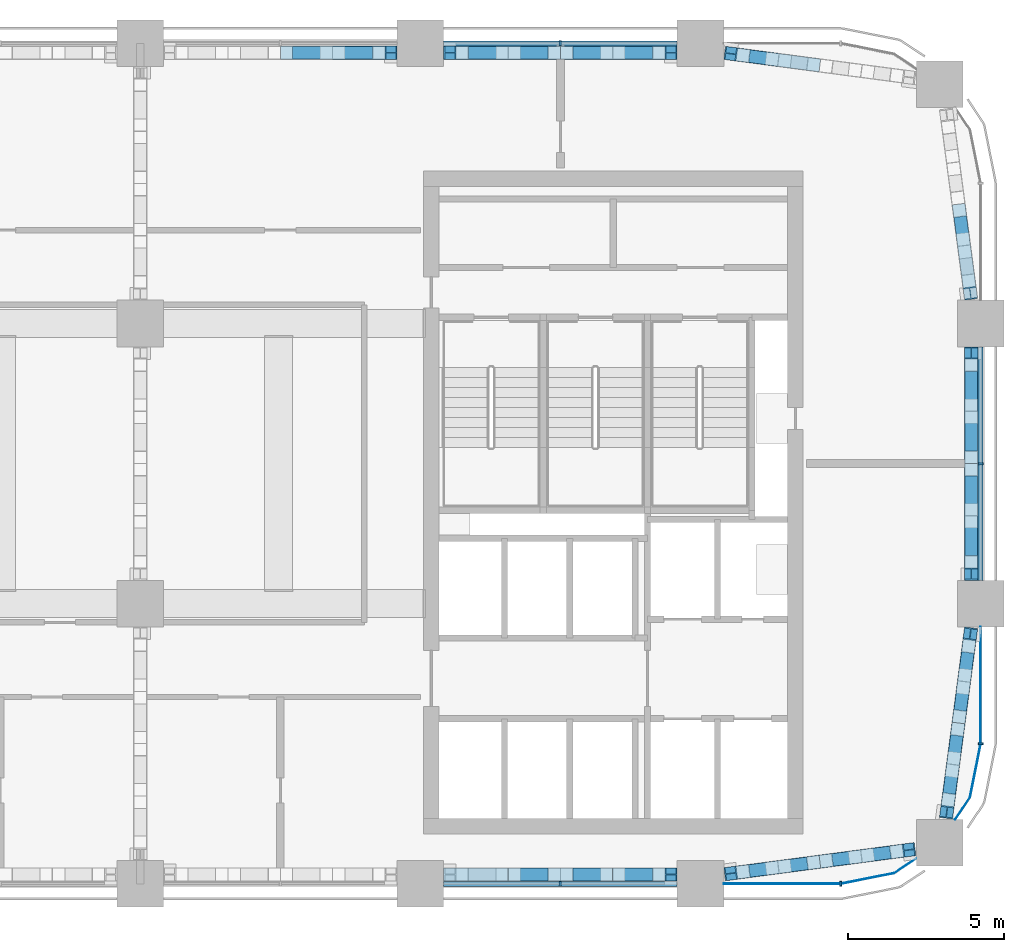
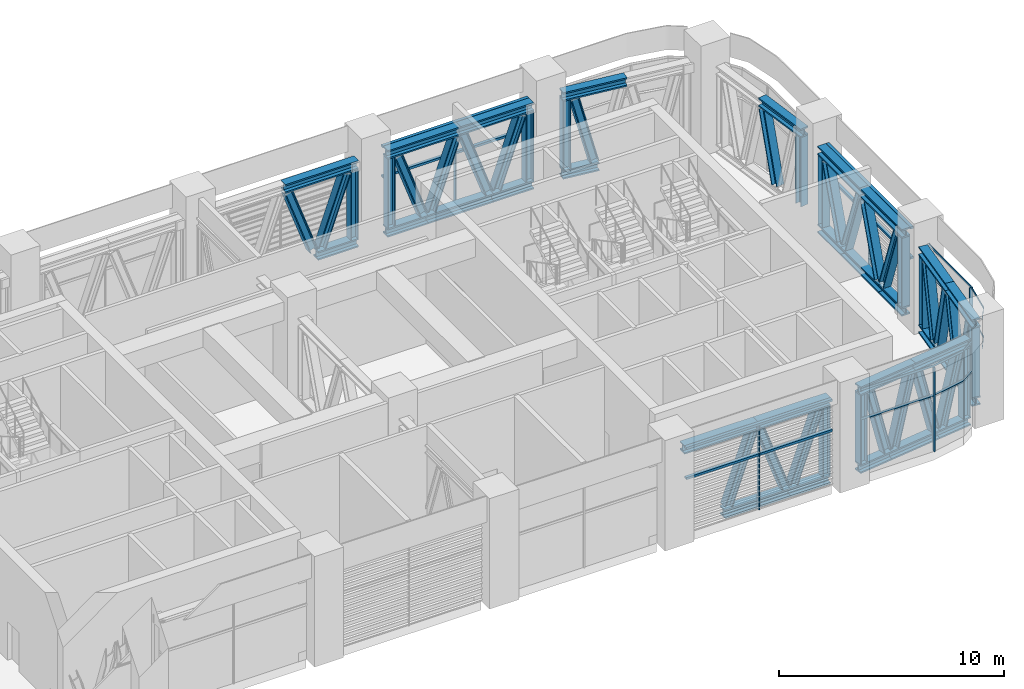
# One storey, part 6 of 19: 79 members, 5 elements without a shape of their own.
"""IFC4 building model written with IfcOpenShell, lengths in metres."""

from ifc_helpers import new_model, si_unit, direction, frame, origin, origin_2d, place, context, subcontext, project, spatial, polyline, rectangle, i_section, outline, extrude, material, material_profile, profile_set, type_object, element, aggregate, save


model = new_model("IFC4")

# Units and contexts
model_context = context("Model", 3, precision=1e-05, world=origin(), true_north=direction((0.0, 1.0)))
body_context = subcontext(model_context, "Body", "Model", "MODEL_VIEW")
ifc_project = project(units=[si_unit("LENGTHUNIT", "METRE"), si_unit("AREAUNIT", "SQUARE_METRE"), si_unit("VOLUMEUNIT", "CUBIC_METRE"), si_unit("PLANEANGLEUNIT", "RADIAN"), si_unit("MASSUNIT", "GRAM", prefix="KILO")], contexts=[model_context])

# Site, building, storey
site_placement = place(None, origin())
site = spatial("IfcSite", under=ifc_project, at=site_placement, CompositionType="ELEMENT")
building_placement = place(site_placement, origin())
building = spatial("IfcBuilding", under=site, at=building_placement, Name="Tessera Arch", CompositionType="ELEMENT")
storey_placement = place(building_placement, frame((0.0, 0.0, 197.300048828125)))
storey = spatial("IfcBuildingStorey", under=building, at=storey_placement, Name="L47", CompositionType="ELEMENT", Elevation=197.300048828125)

# Curtain wall, member
ifc_material_1 = material(Name="CW7 curtain wall")
curtain_wall_type = type_object("IfcCurtainWallType", Name="CW7 curtain wall", PredefinedType="NOTDEFINED", material=ifc_material_1)
curtain_wall_1_placement = place(storey_placement, origin())
curtain_wall_1 = element("IfcCurtainWall", 1, at=curtain_wall_1_placement, inside=storey, type_object=curtain_wall_type, Name="CW7 curtain wall E54.27/0 L47", PredefinedType="NOTDEFINED")
ifc_material_2 = material(Name="Anodised aluminium pale metal", Category="aluminium")
ifc_material_profile_1 = material_profile(ifc_material_2, rectangle(XDim=0.159912109375, YDim=0.06005859375, at=origin_2d()), Name="AL 60x160")
ifc_profile_set_1 = profile_set([ifc_material_profile_1], Name="Anodised aluminium pale metal")
member_type_1 = type_object("IfcMemberType", Name="CW7 mullion", PredefinedType="MULLION", material=ifc_profile_set_1)
member_1_placement = place(storey_placement, frame((54.0, 40.5, 0.0), z_axis=(0.0, 0.0, 1.0), x_axis=(-1.0, 0.0, 0.0)))
member_1 = element("IfcMember", 2, at=member_1_placement, type_object=member_type_1, Name="CW7 mullion E54.27/0 1", PredefinedType="MULLION", context=body_context, shape_type="SweptSolid", body=[
    extrude(rectangle(XDim=0.159912109375, YDim=0.06005859375, at=origin_2d()), origin(), (0.0, 0.0, 1.0), 4.579833984375),
])

curtain_wall_2_placement = place(storey_placement, origin())
curtain_wall_2 = element("IfcCurtainWall", 3, at=curtain_wall_2_placement, inside=storey, type_object=curtain_wall_type, Name="CW7 curtain wall N54.0/1 L47", PredefinedType="NOTDEFINED")
member_2_placement = place(storey_placement, frame((40.5, 54.0, 0.0), z_axis=(0.0, 0.0, 1.0), x_axis=(0.0, -1.0, 0.0)))
member_2 = element("IfcMember", 4, at=member_2_placement, type_object=member_type_1, Name="CW7 mullion N54.0/1 1", PredefinedType="MULLION", context=body_context, shape_type="SweptSolid", body=[
    extrude(rectangle(XDim=0.159912109375, YDim=0.06005859375, at=origin_2d()), origin(), (0.0, 0.0, 1.0), 4.579833984375),
])

curtain_wall_3_placement = place(storey_placement, origin())
curtain_wall_3 = element("IfcCurtainWall", 5, at=curtain_wall_3_placement, inside=storey, type_object=curtain_wall_type, Name="CW7 curtain wall S27.0/4 L47", PredefinedType="NOTDEFINED")
member_3_placement = place(storey_placement, frame((40.5, 27.0, 0.0), z_axis=(0.0, 0.0, 1.0), x_axis=(0.0, 1.0, 0.0)))
member_3 = element("IfcMember", 6, at=member_3_placement, type_object=member_type_1, Name="CW7 mullion S27.0/4 1", PredefinedType="MULLION", context=body_context, shape_type="SweptSolid", body=[
    extrude(rectangle(XDim=0.159912109375, YDim=0.06005859375, at=origin_2d()), origin(), (0.0, 0.0, 1.0), 4.579833984375),
])

curtain_wall_4_placement = place(storey_placement, origin())
curtain_wall_4 = element("IfcCurtainWall", 7, at=curtain_wall_4_placement, inside=storey, type_object=curtain_wall_type, Name="CW7 curtain wall S27.0/5 L47", PredefinedType="NOTDEFINED")
member_4_placement = place(storey_placement, frame((49.5, 27.0, 0.0), z_axis=(0.0, 0.0, 1.0), x_axis=(0.0, 1.0, 0.0)))
member_4 = element("IfcMember", 8, at=member_4_placement, type_object=member_type_1, Name="CW7 mullion S27.0/5 1", PredefinedType="MULLION", context=body_context, shape_type="SweptSolid", body=[
    extrude(rectangle(XDim=0.159912109375, YDim=0.06005859375, at=origin_2d()), origin(), (0.0, 0.0, 1.0), 4.579833984375),
])

curtain_wall_5_placement = place(storey_placement, origin())
curtain_wall_5 = element("IfcCurtainWall", 9, at=curtain_wall_5_placement, inside=storey, type_object=curtain_wall_type, Name="CW7 curtain wall E54.27/2 L47", PredefinedType="NOTDEFINED")
member_5_placement = place(storey_placement, frame((54.0, 31.5, 0.0), z_axis=(0.0, 0.0, 1.0), x_axis=(-1.0, 0.0, 0.0)))
member_5 = element("IfcMember", 10, at=member_5_placement, type_object=member_type_1, Name="CW7 mullion E54.27/2 1", PredefinedType="MULLION", context=body_context, shape_type="SweptSolid", body=[
    extrude(rectangle(XDim=0.159912109375, YDim=0.06005859375, at=origin_2d()), origin(), (0.0, 0.0, 1.0), 4.579833984375),
])

# Member
ifc_material_3 = material(Name="Anodised aluminium pale metal", Category="aluminium")
ifc_material_profile_2 = material_profile(ifc_material_3, rectangle(XDim=0.159912109375, YDim=0.1201171875, at=origin_2d()), Name="AL 160x120")
ifc_profile_set_2 = profile_set([ifc_material_profile_2], Name="Anodised aluminium pale metal")
member_type_2 = type_object("IfcMemberType", Name="CW7 transom", PredefinedType="USERDEFINED", material=ifc_profile_set_2)
member_6_placement = place(storey_placement, frame((54.0, 36.75, 4.639892578125), z_axis=(0.0, 1.0, 0.0), x_axis=(-1.0, 0.0, 0.0)))
member_6 = element("IfcMember", 11, at=member_6_placement, type_object=member_type_2, Name="CW7 transom E54.27/0 1.1", ObjectType="TRANSOM", PredefinedType="USERDEFINED", context=body_context, shape_type="SweptSolid", body=[
    extrude(rectangle(XDim=0.159912109375, YDim=0.1201171875, at=origin_2d()), origin(), (0.0, 0.0, 1.0), 7.5),
])

member_7_placement = place(storey_placement, frame((54.0, 36.75, 3.0), z_axis=(0.0, 1.0, 0.0), x_axis=(-1.0, 0.0, 0.0)))
member_7 = element("IfcMember", 12, at=member_7_placement, type_object=member_type_2, Name="CW7 transom E54.27/0 2.1", ObjectType="TRANSOM", PredefinedType="USERDEFINED", context=body_context, shape_type="SweptSolid", body=[
    extrude(rectangle(XDim=0.159912109375, YDim=0.1201171875, at=origin_2d()), origin(), (0.0, 0.0, 1.0), 7.5),
])

aggregate(curtain_wall_1, [member_1, member_6, member_7])

member_8_placement = place(storey_placement, frame((44.25, 54.0, 4.639892578125), z_axis=(-1.0, 0.0, 0.0), x_axis=(0.0, -1.0, 0.0)))
member_8 = element("IfcMember", 13, at=member_8_placement, type_object=member_type_2, Name="CW7 transom N54.0/1 1.1", ObjectType="TRANSOM", PredefinedType="USERDEFINED", context=body_context, shape_type="SweptSolid", body=[
    extrude(rectangle(XDim=0.159912109375, YDim=0.1201171875, at=origin_2d()), origin(), (0.0, 0.0, 1.0), 7.5),
])

member_9_placement = place(storey_placement, frame((44.25, 54.0, 3.0), z_axis=(-1.0, 0.0, 0.0), x_axis=(0.0, -1.0, 0.0)))
member_9 = element("IfcMember", 14, at=member_9_placement, type_object=member_type_2, Name="CW7 transom N54.0/1 2.1", ObjectType="TRANSOM", PredefinedType="USERDEFINED", context=body_context, shape_type="SweptSolid", body=[
    extrude(rectangle(XDim=0.159912109375, YDim=0.1201171875, at=origin_2d()), origin(), (0.0, 0.0, 1.0), 7.5),
])

aggregate(curtain_wall_2, [member_2, member_8, member_9])

member_10_placement = place(storey_placement, frame((36.75, 27.0, 4.639892578125), z_axis=(1.0, 0.0, 0.0), x_axis=(0.0, 1.0, 0.0)))
member_10 = element("IfcMember", 15, at=member_10_placement, type_object=member_type_2, Name="CW7 transom S27.0/4 1.1", ObjectType="TRANSOM", PredefinedType="USERDEFINED", context=body_context, shape_type="SweptSolid", body=[
    extrude(rectangle(XDim=0.159912109375, YDim=0.1201171875, at=origin_2d()), origin(), (0.0, 0.0, 1.0), 7.5),
])

member_11_placement = place(storey_placement, frame((36.75, 27.0, 3.0), z_axis=(1.0, 0.0, 0.0), x_axis=(0.0, 1.0, 0.0)))
member_11 = element("IfcMember", 16, at=member_11_placement, type_object=member_type_2, Name="CW7 transom S27.0/4 2.1", ObjectType="TRANSOM", PredefinedType="USERDEFINED", context=body_context, shape_type="SweptSolid", body=[
    extrude(rectangle(XDim=0.159912109375, YDim=0.1201171875, at=origin_2d()), origin(), (0.0, 0.0, 1.0), 7.5),
])

aggregate(curtain_wall_3, [member_3, member_10, member_11])

member_12_placement = place(storey_placement, frame((0.0, 0.0, 3.0)))
member_12 = element("IfcMember", 17, at=member_12_placement, type_object=member_type_2, Name="CW7 transom S27.0/5 1", ObjectType="TRANSOM", PredefinedType="USERDEFINED", context=body_context, shape_type="SweptSolid", body=[
    extrude(outline(polyline([(49.4990234375, 27.010009765625), (45.75, 27.010009765625), (45.75, 26.989990234375), (49.5009765625, 26.989990234375), (51.22607421875, 27.3330078125), (51.9375, 27.80859375), (51.926513671875, 27.8251953125), (51.21826171875, 27.351806640625), (49.4990234375, 27.010009765625)])), origin(), (0.0, 0.0, 1.0), 0.119873046875),
])

member_13_placement = place(storey_placement, frame((0.0, 0.0, 4.579833984375)))
member_13 = element("IfcMember", 18, at=member_13_placement, type_object=member_type_2, Name="CW7 transom S27.0/5 2", ObjectType="TRANSOM", PredefinedType="USERDEFINED", context=body_context, shape_type="SweptSolid", body=[
    extrude(outline(polyline([(49.4990234375, 27.010009765625), (45.75, 27.010009765625), (45.75, 26.989990234375), (49.5009765625, 26.989990234375), (51.22607421875, 27.3330078125), (51.9375, 27.80859375), (51.926513671875, 27.8251953125), (51.21826171875, 27.351806640625), (49.4990234375, 27.010009765625)])), origin(), (0.0, 0.0, 1.0), 0.1201171875),
])

aggregate(curtain_wall_4, [member_4, member_12, member_13])

member_14_placement = place(storey_placement, frame((0.0, 0.0, 3.0)))
member_14 = element("IfcMember", 19, at=member_14_placement, type_object=member_type_2, Name="CW7 transom E54.27/2 1", ObjectType="TRANSOM", PredefinedType="USERDEFINED", context=body_context, shape_type="SweptSolid", body=[
    extrude(outline(polyline([(53.648193359375, 29.78173828125), (53.1748046875, 29.073486328125), (53.19140625, 29.0625), (53.6669921875, 29.77392578125), (54.010009765625, 31.4990234375), (54.010009765625, 35.25), (53.989990234375, 35.25), (53.989990234375, 31.5009765625), (53.648193359375, 29.78173828125)])), origin(), (0.0, 0.0, 1.0), 0.119873046875),
])

member_15_placement = place(storey_placement, frame((0.0, 0.0, 4.579833984375)))
member_15 = element("IfcMember", 20, at=member_15_placement, type_object=member_type_2, Name="CW7 transom E54.27/2 2", ObjectType="TRANSOM", PredefinedType="USERDEFINED", context=body_context, shape_type="SweptSolid", body=[
    extrude(outline(polyline([(53.648193359375, 29.78173828125), (53.1748046875, 29.073486328125), (53.19140625, 29.0625), (53.6669921875, 29.77392578125), (54.010009765625, 31.4990234375), (54.010009765625, 35.25), (53.989990234375, 35.25), (53.989990234375, 31.5009765625), (53.648193359375, 29.78173828125)])), origin(), (0.0, 0.0, 1.0), 0.1201171875),
])

aggregate(curtain_wall_5, [member_5, member_14, member_15])

# Members
ifc_material_4 = material(Name="Steel A992 Gr50", Category="steel")
ifc_material_profile_3 = material_profile(ifc_material_4, i_section(OverallWidth=0.424072265625, OverallDepth=0.47412109375, WebThickness=0.047607421875, FlangeThickness=0.0771484375, at=origin_2d()), Name="W14x426")
ifc_profile_set_3 = profile_set([ifc_material_profile_3], Name="Steel A992 Gr50")
member_type_3 = type_object("IfcMemberType", Name="Truss chord W14x426", PredefinedType="CHORD", material=ifc_profile_set_3)
for number, where, z_axis, x_axis, name in (
    (21, (53.699951171875, 36.75, 4.462890625), (0.0, 1.0, 0.0), (-1.0, 0.0, 0.0), "Belt truss top chord 1"),
    (22, (53.699951171875, 40.5, 4.462890625), (0.0, 1.0, 0.0), (-1.0, 0.0, 0.0), "Belt truss top chord 2"),
):
    element("IfcMember", number, at=place(storey_placement, frame(where, z_axis=z_axis, x_axis=x_axis)), inside=storey, type_object=member_type_3, Name=name, PredefinedType="CHORD", context=body_context, shape_type="SweptSolid", body=[
        extrude(i_section(OverallWidth=0.424072265625, OverallDepth=0.47412109375, WebThickness=0.047607421875, FlangeThickness=0.0771484375, at=origin_2d()), origin(), (0.0, 0.0, 1.0), 3.75),
    ])
member_16_placement = place(storey_placement, frame((53.699951171875, 36.75, 0.237060546875), z_axis=(0.0, 1.0, 0.0), x_axis=(-1.0, 0.0, 0.0)))
element("IfcMember", 23, at=member_16_placement, inside=storey, type_object=member_type_3, Name="Belt truss bottom chord 1", PredefinedType="CHORD", context=body_context, shape_type="SweptSolid", body=[
    extrude(i_section(OverallWidth=0.424072265625, OverallDepth=0.47412109375, WebThickness=0.047607421875, FlangeThickness=0.0771484375, at=origin_2d()), origin(), (0.0, 0.0, 1.0), 2.07177734375),
])
member_17_placement = place(storey_placement, frame((53.699951171875, 38.82177734375, 0.237060546875), z_axis=(0.0, 1.0, 0.0), x_axis=(-1.0, 0.0, 0.0)))
element("IfcMember", 24, at=member_17_placement, inside=storey, type_object=member_type_3, Name="Belt truss bottom chord 2", PredefinedType="CHORD", context=body_context, shape_type="SweptSolid", body=[
    extrude(i_section(OverallWidth=0.424072265625, OverallDepth=0.47412109375, WebThickness=0.047607421875, FlangeThickness=0.0771484375, at=origin_2d()), origin(), (0.0, 0.0, 1.0), 3.3564453125),
])
member_18_placement = place(storey_placement, frame((53.699951171875, 42.17822265625, 0.237060546875), z_axis=(0.0, 1.0, 0.0), x_axis=(-1.0, 0.0, 0.0)))
element("IfcMember", 25, at=member_18_placement, inside=storey, type_object=member_type_3, Name="Belt truss bottom chord 3", PredefinedType="CHORD", context=body_context, shape_type="SweptSolid", body=[
    extrude(i_section(OverallWidth=0.424072265625, OverallDepth=0.47412109375, WebThickness=0.047607421875, FlangeThickness=0.0771484375, at=origin_2d()), origin(), (0.0, 0.0, 1.0), 2.07177734375),
])
for number, where, z_axis, x_axis, name in (
    (26, (53.69384765625, 45.77783203125, 4.462890625), (-0.131017644373, 0.991380036546, 0.0), (-0.991380036546, -0.131017644373, 0.0), "Belt truss top chord 1"),
    (27, (48.835205078125, 53.289794921875, 4.462890625), (-0.991380036546, 0.131017644373, 0.0), (-0.131017644373, -0.991380036546, 0.0), "Belt truss top chord 2"),
):
    element("IfcMember", number, at=place(storey_placement, frame(where, z_axis=z_axis, x_axis=x_axis)), inside=storey, type_object=member_type_3, Name=name, PredefinedType="CHORD", context=body_context, shape_type="SweptSolid", body=[
        extrude(i_section(OverallWidth=0.424072265625, OverallDepth=0.47412109375, WebThickness=0.047607421875, FlangeThickness=0.0771484375, at=origin_2d()), origin(), (0.0, 0.0, 1.0), 3.083984375),
    ])
member_19_placement = place(storey_placement, frame((47.501708984375, 53.4658203125, 0.237060546875), z_axis=(-0.991364700068, 0.131133639692, 0.0), x_axis=(-0.131133639692, -0.991364700068, 0.0)))
element("IfcMember", 28, at=member_19_placement, inside=storey, type_object=member_type_3, Name="Belt truss bottom chord 3", PredefinedType="CHORD", context=body_context, shape_type="SweptSolid", body=[
    extrude(i_section(OverallWidth=0.424072265625, OverallDepth=0.47412109375, WebThickness=0.047607421875, FlangeThickness=0.0771484375, at=origin_2d()), origin(), (0.0, 0.0, 1.0), 1.739013671875),
])
for number, where, z_axis, x_axis, name in (
    (29, (44.25, 53.699951171875, 4.462890625), (-1.0, 0.0, 0.0), (0.0, -1.0, 0.0), "Belt truss top chord 1"),
    (30, (40.5, 53.699951171875, 4.462890625), (-1.0, 0.0, 0.0), (0.0, -1.0, 0.0), "Belt truss top chord 2"),
):
    element("IfcMember", number, at=place(storey_placement, frame(where, z_axis=z_axis, x_axis=x_axis)), inside=storey, type_object=member_type_3, Name=name, PredefinedType="CHORD", context=body_context, shape_type="SweptSolid", body=[
        extrude(i_section(OverallWidth=0.424072265625, OverallDepth=0.47412109375, WebThickness=0.047607421875, FlangeThickness=0.0771484375, at=origin_2d()), origin(), (0.0, 0.0, 1.0), 3.75),
    ])
member_20_placement = place(storey_placement, frame((44.25, 53.699951171875, 0.237060546875), z_axis=(-1.0, 0.0, 0.0), x_axis=(0.0, -1.0, 0.0)))
element("IfcMember", 31, at=member_20_placement, inside=storey, type_object=member_type_3, Name="Belt truss bottom chord 1", PredefinedType="CHORD", context=body_context, shape_type="SweptSolid", body=[
    extrude(i_section(OverallWidth=0.424072265625, OverallDepth=0.47412109375, WebThickness=0.047607421875, FlangeThickness=0.0771484375, at=origin_2d()), origin(), (0.0, 0.0, 1.0), 2.07177734375),
])
member_21_placement = place(storey_placement, frame((42.17822265625, 53.699951171875, 0.237060546875), z_axis=(-1.0, 0.0, 0.0), x_axis=(0.0, -1.0, 0.0)))
element("IfcMember", 32, at=member_21_placement, inside=storey, type_object=member_type_3, Name="Belt truss bottom chord 2", PredefinedType="CHORD", context=body_context, shape_type="SweptSolid", body=[
    extrude(i_section(OverallWidth=0.424072265625, OverallDepth=0.47412109375, WebThickness=0.047607421875, FlangeThickness=0.0771484375, at=origin_2d()), origin(), (0.0, 0.0, 1.0), 3.3564453125),
])
member_22_placement = place(storey_placement, frame((38.82177734375, 53.699951171875, 0.237060546875), z_axis=(-1.0, 0.0, 0.0), x_axis=(0.0, -1.0, 0.0)))
element("IfcMember", 33, at=member_22_placement, inside=storey, type_object=member_type_3, Name="Belt truss bottom chord 3", PredefinedType="CHORD", context=body_context, shape_type="SweptSolid", body=[
    extrude(i_section(OverallWidth=0.424072265625, OverallDepth=0.47412109375, WebThickness=0.047607421875, FlangeThickness=0.0771484375, at=origin_2d()), origin(), (0.0, 0.0, 1.0), 2.07177734375),
])
member_23_placement = place(storey_placement, frame((35.25, 53.699951171875, 4.462890625), z_axis=(-1.0, 0.0, 0.0), x_axis=(0.0, -1.0, 0.0)))
element("IfcMember", 34, at=member_23_placement, inside=storey, type_object=member_type_3, Name="Belt truss top chord 1", PredefinedType="CHORD", context=body_context, shape_type="SweptSolid", body=[
    extrude(i_section(OverallWidth=0.424072265625, OverallDepth=0.47412109375, WebThickness=0.047607421875, FlangeThickness=0.0771484375, at=origin_2d()), origin(), (0.0, 0.0, 1.0), 3.75),
])
member_24_placement = place(storey_placement, frame((35.25, 53.699951171875, 0.237060546875), z_axis=(-1.0, 0.0, 0.0), x_axis=(0.0, -1.0, 0.0)))
element("IfcMember", 35, at=member_24_placement, inside=storey, type_object=member_type_3, Name="Belt truss bottom chord 1", PredefinedType="CHORD", context=body_context, shape_type="SweptSolid", body=[
    extrude(i_section(OverallWidth=0.424072265625, OverallDepth=0.47412109375, WebThickness=0.047607421875, FlangeThickness=0.0771484375, at=origin_2d()), origin(), (0.0, 0.0, 1.0), 2.07177734375),
])
for number, where, z_axis, x_axis, name in (
    (36, (36.75, 27.300048828125, 4.462890625), (1.0, 0.0, 0.0), (0.0, 1.0, 0.0), "Belt truss top chord 1"),
    (37, (40.5, 27.300048828125, 4.462890625), (1.0, 0.0, 0.0), (0.0, 1.0, 0.0), "Belt truss top chord 2"),
):
    element("IfcMember", number, at=place(storey_placement, frame(where, z_axis=z_axis, x_axis=x_axis)), inside=storey, type_object=member_type_3, Name=name, PredefinedType="CHORD", context=body_context, shape_type="SweptSolid", body=[
        extrude(i_section(OverallWidth=0.424072265625, OverallDepth=0.47412109375, WebThickness=0.047607421875, FlangeThickness=0.0771484375, at=origin_2d()), origin(), (0.0, 0.0, 1.0), 3.75),
    ])
member_25_placement = place(storey_placement, frame((38.82177734375, 27.300048828125, 0.237060546875), z_axis=(1.0, 0.0, 0.0), x_axis=(0.0, 1.0, 0.0)))
element("IfcMember", 38, at=member_25_placement, inside=storey, type_object=member_type_3, Name="Belt truss bottom chord 2", PredefinedType="CHORD", context=body_context, shape_type="SweptSolid", body=[
    extrude(i_section(OverallWidth=0.424072265625, OverallDepth=0.47412109375, WebThickness=0.047607421875, FlangeThickness=0.0771484375, at=origin_2d()), origin(), (0.0, 0.0, 1.0), 3.3564453125),
])
member_26_placement = place(storey_placement, frame((42.17822265625, 27.300048828125, 0.237060546875), z_axis=(1.0, 0.0, 0.0), x_axis=(0.0, 1.0, 0.0)))
element("IfcMember", 39, at=member_26_placement, inside=storey, type_object=member_type_3, Name="Belt truss bottom chord 3", PredefinedType="CHORD", context=body_context, shape_type="SweptSolid", body=[
    extrude(i_section(OverallWidth=0.424072265625, OverallDepth=0.47412109375, WebThickness=0.047607421875, FlangeThickness=0.0771484375, at=origin_2d()), origin(), (0.0, 0.0, 1.0), 2.07177734375),
])
for number, where, z_axis, x_axis, name in (
    (40, (45.77783203125, 27.30615234375, 4.462890625), (0.991380036546, 0.131017644373, 0.0), (-0.131017644373, 0.991380036546, 0.0), "Belt truss top chord 1"),
    (41, (48.835205078125, 27.710205078125, 4.462890625), (0.991380036546, 0.131017644373, 0.0), (-0.131017644373, 0.991380036546, 0.0), "Belt truss top chord 2"),
):
    element("IfcMember", number, at=place(storey_placement, frame(where, z_axis=z_axis, x_axis=x_axis)), inside=storey, type_object=member_type_3, Name=name, PredefinedType="CHORD", context=body_context, shape_type="SweptSolid", body=[
        extrude(i_section(OverallWidth=0.424072265625, OverallDepth=0.47412109375, WebThickness=0.047607421875, FlangeThickness=0.0771484375, at=origin_2d()), origin(), (0.0, 0.0, 1.0), 3.083984375),
    ])
member_27_placement = place(storey_placement, frame((45.77783203125, 27.30615234375, 0.237060546875), z_axis=(0.991364700068, 0.131133639692, 0.0), x_axis=(-0.131133639692, 0.991364700068, 0.0)))
element("IfcMember", 42, at=member_27_placement, inside=storey, type_object=member_type_3, Name="Belt truss bottom chord 1", PredefinedType="CHORD", context=body_context, shape_type="SweptSolid", body=[
    extrude(i_section(OverallWidth=0.424072265625, OverallDepth=0.47412109375, WebThickness=0.047607421875, FlangeThickness=0.0771484375, at=origin_2d()), origin(), (0.0, 0.0, 1.0), 1.739013671875),
])
member_28_placement = place(storey_placement, frame((47.501708984375, 27.5341796875, 0.237060546875), z_axis=(0.991388064832, 0.13095688187, 0.0), x_axis=(-0.13095688187, 0.991388064832, 0.0)))
element("IfcMember", 43, at=member_28_placement, inside=storey, type_object=member_type_3, Name="Belt truss bottom chord 2", PredefinedType="CHORD", context=body_context, shape_type="SweptSolid", body=[
    extrude(i_section(OverallWidth=0.424072265625, OverallDepth=0.47412109375, WebThickness=0.047607421875, FlangeThickness=0.0771484375, at=origin_2d()), origin(), (0.0, 0.0, 1.0), 2.690185546875),
])
member_29_placement = place(storey_placement, frame((50.168701171875, 27.886474609375, 0.237060546875), z_axis=(0.991382942983, 0.130995650163, 0.0), x_axis=(-0.130995650163, 0.991382942983, 0.0)))
element("IfcMember", 44, at=member_29_placement, inside=storey, type_object=member_type_3, Name="Belt truss bottom chord 3", PredefinedType="CHORD", context=body_context, shape_type="SweptSolid", body=[
    extrude(i_section(OverallWidth=0.424072265625, OverallDepth=0.47412109375, WebThickness=0.047607421875, FlangeThickness=0.0771484375, at=origin_2d()), origin(), (0.0, 0.0, 1.0), 1.73876953125),
])
for number, where, z_axis, x_axis, name in (
    (45, (52.8857421875, 29.107421875, 4.462890625), (0.131017644373, 0.991380036546, 0.0), (-0.991380036546, 0.131017644373, 0.0), "Belt truss top chord 1"),
    (46, (53.289794921875, 32.164794921875, 4.462890625), (0.131017644373, 0.991380036546, 0.0), (-0.991380036546, 0.131017644373, 0.0), "Belt truss top chord 2"),
):
    element("IfcMember", number, at=place(storey_placement, frame(where, z_axis=z_axis, x_axis=x_axis)), inside=storey, type_object=member_type_3, Name=name, PredefinedType="CHORD", context=body_context, shape_type="SweptSolid", body=[
        extrude(i_section(OverallWidth=0.424072265625, OverallDepth=0.47412109375, WebThickness=0.047607421875, FlangeThickness=0.0771484375, at=origin_2d()), origin(), (0.0, 0.0, 1.0), 3.083984375),
    ])
member_30_placement = place(storey_placement, frame((52.8857421875, 29.107421875, 0.237060546875), z_axis=(0.130995650163, 0.991382942983, 0.0), x_axis=(-0.991382942983, 0.130995650163, 0.0)))
element("IfcMember", 47, at=member_30_placement, inside=storey, type_object=member_type_3, Name="Belt truss bottom chord 1", PredefinedType="CHORD", context=body_context, shape_type="SweptSolid", body=[
    extrude(i_section(OverallWidth=0.424072265625, OverallDepth=0.47412109375, WebThickness=0.047607421875, FlangeThickness=0.0771484375, at=origin_2d()), origin(), (0.0, 0.0, 1.0), 1.73876953125),
])
member_31_placement = place(storey_placement, frame((53.113525390625, 30.831298828125, 0.237060546875), z_axis=(0.13095688187, 0.991388064832, 0.0), x_axis=(-0.991388064832, 0.13095688187, 0.0)))
element("IfcMember", 48, at=member_31_placement, inside=storey, type_object=member_type_3, Name="Belt truss bottom chord 2", PredefinedType="CHORD", context=body_context, shape_type="SweptSolid", body=[
    extrude(i_section(OverallWidth=0.424072265625, OverallDepth=0.47412109375, WebThickness=0.047607421875, FlangeThickness=0.0771484375, at=origin_2d()), origin(), (0.0, 0.0, 1.0), 2.690185546875),
])
member_32_placement = place(storey_placement, frame((53.4658203125, 33.498291015625, 0.237060546875), z_axis=(0.131133639692, 0.991364700068, 0.0), x_axis=(-0.991364700068, 0.131133639692, 0.0)))
element("IfcMember", 49, at=member_32_placement, inside=storey, type_object=member_type_3, Name="Belt truss bottom chord 3", PredefinedType="CHORD", context=body_context, shape_type="SweptSolid", body=[
    extrude(i_section(OverallWidth=0.424072265625, OverallDepth=0.47412109375, WebThickness=0.047607421875, FlangeThickness=0.0771484375, at=origin_2d()), origin(), (0.0, 0.0, 1.0), 1.739013671875),
])
ifc_material_5 = material(Name="Steel A992 Gr50", Category="steel")
ifc_material_profile_4 = material_profile(ifc_material_5, i_section(OverallWidth=0.406494140625, OverallDepth=0.41650390625, WebThickness=0.030029296875, FlangeThickness=0.048095703125, at=origin_2d()), Name="W14x257")
ifc_profile_set_4 = profile_set([ifc_material_profile_4], Name="Steel A992 Gr50")
member_type_4 = type_object("IfcMemberType", Name="Truss diagonal W14x257", PredefinedType="BRACE", material=ifc_profile_set_4)
for number, where, z_axis, x_axis, name in (
    (50, (53.699951171875, 37.345947265625, 4.138916015625), (0.0, 0.335371083549, -0.94208610876), (-1.0, 0.0, 0.0), "Belt truss diagonal 1"),
    (51, (53.699951171875, 39.024169921875, 0.56103515625), (0.0, 0.335371083549, 0.94208610876), (-1.0, 0.0, 0.0), "Belt truss diagonal 2"),
    (52, (53.699951171875, 40.7021484375, 4.138916015625), (0.0, 0.335371083549, -0.94208610876), (-1.0, 0.0, 0.0), "Belt truss diagonal 3"),
    (53, (53.699951171875, 42.38037109375, 0.56103515625), (0.0, 0.335371083549, 0.94208610876), (-1.0, 0.0, 0.0), "Belt truss diagonal 4"),
):
    element("IfcMember", number, at=place(storey_placement, frame(where, z_axis=z_axis, x_axis=x_axis)), inside=storey, type_object=member_type_4, Name=name, PredefinedType="BRACE", context=body_context, shape_type="SweptSolid", body=[
        extrude(i_section(OverallWidth=0.406494140625, OverallDepth=0.41650390625, WebThickness=0.030029296875, FlangeThickness=0.048095703125, at=origin_2d()), origin(), (0.0, 0.0, 1.0), 3.7978515625),
    ])
for number, where, z_axis, x_axis, name in (
    (54, (53.43896484375, 47.7060546875, 0.543701171875), (-0.032782850795, 0.247867143338, 0.96823920802), (-0.991366776688, -0.131117939578, 0.0), "Belt truss diagonal 2"),
    (55, (47.297119140625, 53.492919921875, 0.543701171875), (-0.247867143338, 0.032782850795, 0.96823920802), (-0.131117939578, -0.991366776688, 0.0), "Belt truss diagonal 4"),
):
    element("IfcMember", number, at=place(storey_placement, frame(where, z_axis=z_axis, x_axis=x_axis)), inside=storey, type_object=member_type_4, Name=name, PredefinedType="BRACE", context=body_context, shape_type="SweptSolid", body=[
        extrude(i_section(OverallWidth=0.406494140625, OverallDepth=0.41650390625, WebThickness=0.030029296875, FlangeThickness=0.048095703125, at=origin_2d()), origin(), (0.0, 0.0, 1.0), 3.73095703125),
    ])
for number, where, z_axis, x_axis, name in (
    (56, (43.654052734375, 53.699951171875, 4.138916015625), (-0.335371083549, 0.0, -0.94208610876), (0.0, -1.0, 0.0), "Belt truss diagonal 1"),
    (57, (41.975830078125, 53.699951171875, 0.56103515625), (-0.335371083549, 0.0, 0.94208610876), (0.0, -1.0, 0.0), "Belt truss diagonal 2"),
    (58, (40.2978515625, 53.699951171875, 4.138916015625), (-0.335371083549, 0.0, -0.94208610876), (0.0, -1.0, 0.0), "Belt truss diagonal 3"),
    (59, (38.61962890625, 53.699951171875, 0.56103515625), (-0.335371083549, 0.0, 0.94208610876), (0.0, -1.0, 0.0), "Belt truss diagonal 4"),
    (60, (34.654052734375, 53.699951171875, 4.138916015625), (-0.335371083549, 0.0, -0.94208610876), (0.0, -1.0, 0.0), "Belt truss diagonal 1"),
    (61, (32.975830078125, 53.699951171875, 0.56103515625), (-0.335371083549, 0.0, 0.94208610876), (0.0, -1.0, 0.0), "Belt truss diagonal 2"),
    (62, (39.024169921875, 27.300048828125, 0.56103515625), (0.335371083549, 0.0, 0.94208610876), (0.0, 1.0, 0.0), "Belt truss diagonal 2"),
    (63, (40.7021484375, 27.300048828125, 4.138916015625), (0.335371083549, 0.0, -0.94208610876), (0.0, 1.0, 0.0), "Belt truss diagonal 3"),
    (64, (42.38037109375, 27.300048828125, 0.56103515625), (0.335371083549, 0.0, 0.94208610876), (0.0, 1.0, 0.0), "Belt truss diagonal 4"),
):
    element("IfcMember", number, at=place(storey_placement, frame(where, z_axis=z_axis, x_axis=x_axis)), inside=storey, type_object=member_type_4, Name=name, PredefinedType="BRACE", context=body_context, shape_type="SweptSolid", body=[
        extrude(i_section(OverallWidth=0.406494140625, OverallDepth=0.41650390625, WebThickness=0.030029296875, FlangeThickness=0.048095703125, at=origin_2d()), origin(), (0.0, 0.0, 1.0), 3.7978515625),
    ])
for number, where, z_axis, x_axis, name in (
    (65, (46.372314453125, 27.384765625, 4.15625), (0.247867143338, 0.032782850795, -0.96823920802), (-0.131117939578, 0.991366776688, 0.0), "Belt truss diagonal 1"),
    (66, (47.7060546875, 27.56103515625, 0.543701171875), (0.247867143338, 0.032782850795, 0.96823920802), (-0.131117939578, 0.991366776688, 0.0), "Belt truss diagonal 2"),
    (67, (49.03955078125, 27.7373046875, 4.15625), (0.247867143338, 0.032782850795, -0.96823920802), (-0.131117939578, 0.991366776688, 0.0), "Belt truss diagonal 3"),
    (68, (50.373291015625, 27.91357421875, 0.543701171875), (0.247867674519, 0.032717486077, 0.968241282963), (-0.13086071323, 0.991400763432, 0.0), "Belt truss diagonal 4"),
    (69, (52.96435546875, 29.701904296875, 4.15625), (0.032717486077, 0.247867674519, -0.968241282963), (-0.991400763432, 0.13086071323, 0.0), "Belt truss diagonal 1"),
    (70, (53.140380859375, 31.03564453125, 0.543701171875), (0.032782850795, 0.247867143338, 0.96823920802), (-0.991366776688, 0.131117939578, 0.0), "Belt truss diagonal 2"),
    (71, (53.316650390625, 32.369140625, 4.15625), (0.032782850795, 0.247867143338, -0.96823920802), (-0.991366776688, 0.131117939578, 0.0), "Belt truss diagonal 3"),
    (72, (53.492919921875, 33.702880859375, 0.543701171875), (0.032782850795, 0.247867143338, 0.96823920802), (-0.991366776688, 0.131117939578, 0.0), "Belt truss diagonal 4"),
):
    element("IfcMember", number, at=place(storey_placement, frame(where, z_axis=z_axis, x_axis=x_axis)), inside=storey, type_object=member_type_4, Name=name, PredefinedType="BRACE", context=body_context, shape_type="SweptSolid", body=[
        extrude(i_section(OverallWidth=0.406494140625, OverallDepth=0.41650390625, WebThickness=0.030029296875, FlangeThickness=0.048095703125, at=origin_2d()), origin(), (0.0, 0.0, 1.0), 3.73095703125),
    ])
ifc_material_6 = material(Name="Steel A992 Gr50", Category="steel")
ifc_material_profile_5 = material_profile(ifc_material_6, i_section(OverallWidth=0.398681640625, OverallDepth=0.393798828125, WebThickness=0.022705078125, FlangeThickness=0.03662109375, at=origin_2d()), Name="W14x193")
ifc_profile_set_5 = profile_set([ifc_material_profile_5], Name="Steel A992 Gr50")
member_type_5 = type_object("IfcMemberType", Name="Truss post W14x193", PredefinedType="POST", material=ifc_profile_set_5)
for number, where, z_axis, x_axis, name in (
    (73, (53.699951171875, 36.94677734375, 0.47412109375), (0.0, 0.0, 1.0), (1.0, 0.0, 0.0), "Belt truss end post 1"),
    (74, (53.699951171875, 44.05322265625, 0.47412109375), (0.0, 0.0, 1.0), (1.0, 0.0, 0.0), "Belt truss end post 2"),
    (75, (53.66796875, 45.972900390625, 0.47412109375), (0.0, 0.0, 1.0), (0.991381984675, 0.131002902497, 0.0), "Belt truss end post 1"),
    (76, (45.972900390625, 53.66796875, 0.47412109375), (0.0, 0.0, 1.0), (0.131002902497, 0.991381984675, 0.0), "Belt truss end post 2"),
    (77, (44.05322265625, 53.699951171875, 0.47412109375), (0.0, 0.0, 1.0), (0.0, 1.0, 0.0), "Belt truss end post 1"),
    (78, (36.94677734375, 53.699951171875, 0.47412109375), (0.0, 0.0, 1.0), (0.0, 1.0, 0.0), "Belt truss end post 2"),
    (79, (35.05322265625, 53.699951171875, 0.47412109375), (0.0, 0.0, 1.0), (0.0, 1.0, 0.0), "Belt truss end post 1"),
    (80, (44.05322265625, 27.300048828125, 0.47412109375), (0.0, 0.0, 1.0), (0.0, 1.0, 0.0), "Belt truss end post 2"),
    (81, (45.972900390625, 27.33203125, 0.47412109375), (0.0, 0.0, 1.0), (-0.131002902497, 0.991381984675, 0.0), "Belt truss end post 1"),
    (82, (51.697509765625, 28.088623046875, 0.47412109375), (0.0, 0.0, 1.0), (-0.131002902497, 0.991381984675, 0.0), "Belt truss end post 2"),
    (83, (52.911376953125, 29.302490234375, 0.47412109375), (0.0, 0.0, 1.0), (-0.991381984675, 0.131002902497, 0.0), "Belt truss end post 1"),
    (84, (53.66796875, 35.027099609375, 0.47412109375), (0.0, 0.0, 1.0), (-0.991381984675, 0.131002902497, 0.0), "Belt truss end post 2"),
):
    element("IfcMember", number, at=place(storey_placement, frame(where, z_axis=z_axis, x_axis=x_axis)), inside=storey, type_object=member_type_5, Name=name, PredefinedType="POST", context=body_context, shape_type="SweptSolid", body=[
        extrude(i_section(OverallWidth=0.398681640625, OverallDepth=0.393798828125, WebThickness=0.022705078125, FlangeThickness=0.03662109375, at=origin_2d()), origin(), (0.0, 0.0, 1.0), 3.751708984375),
    ])

save(model, "model.ifc")
